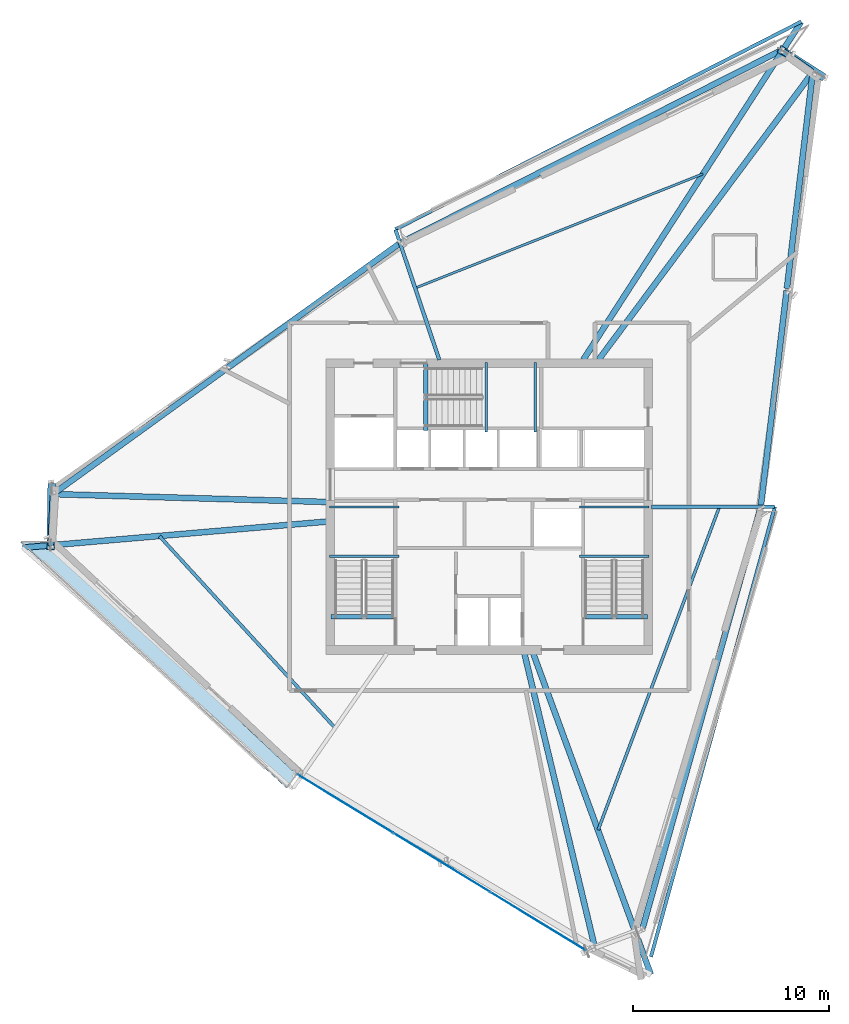
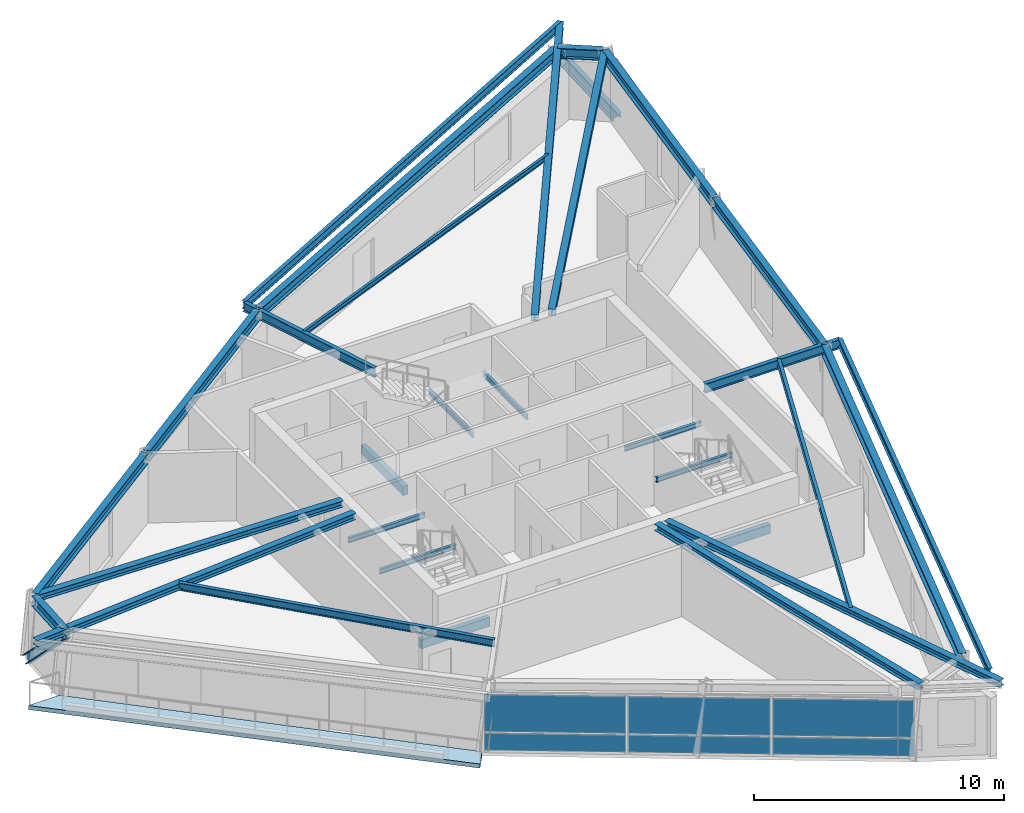
# One storey, part 5 of 14: 30 beams, 6 plates, 2 members, 1 slab, 1 element without a shape of its own.
"""IFC4 building model written with IfcOpenShell, lengths in metres."""

from ifc_helpers import new_model, si_unit, direction, frame, origin, origin_2d, place, context, subcontext, project, spatial, polyline, rectangle, i_section, outline, extrude, source, transform, mapped, material, layer, layer_set, material_profile, profile_set, type_object, element, aggregate, save


model = new_model("IFC4")

# Units and contexts
model_context = context("Model", 3, precision=1e-05, world=origin(), true_north=direction((0.0, 1.0)))
body_context = subcontext(model_context, "Body", "Model", "MODEL_VIEW")
ifc_project = project(units=[si_unit("LENGTHUNIT", "METRE"), si_unit("AREAUNIT", "SQUARE_METRE"), si_unit("VOLUMEUNIT", "CUBIC_METRE"), si_unit("PLANEANGLEUNIT", "RADIAN"), si_unit("MASSUNIT", "GRAM", prefix="KILO")], contexts=[model_context])

# Site, building, storey
site_placement = place(None, origin())
site = spatial("IfcSite", under=ifc_project, at=site_placement, CompositionType="ELEMENT")
building_placement = place(site_placement, origin())
building = spatial("IfcBuilding", under=site, at=building_placement, Name="Olszyna Solenne Hotel", CompositionType="ELEMENT")
storey_placement = place(building_placement, frame((0.0, 0.0, 256.10009765625)))
storey = spatial("IfcBuildingStorey", under=building, at=storey_placement, Name="L68", CompositionType="ELEMENT", Elevation=256.10009765625)

# Beams
ifc_material_1 = material(Name="Steel S355J2", Category="steel")
ifc_material_profile_1 = material_profile(ifc_material_1, i_section(OverallWidth=0.300048828125, OverallDepth=0.5, WebThickness=0.014404296875, FlangeThickness=0.028076171875, at=origin_2d()), Name="HEB 500", Category="load-bearing")
ifc_profile_set_1 = profile_set([ifc_material_profile_1], Name="Steel S355J2")
beam_type_1 = type_object("IfcBeamType", Name="BM-S3", PredefinedType="BEAM", material=ifc_profile_set_1)
shared_shape_1 = source(origin(), body_context, "Body", "SweptSolid", [
    extrude(i_section(OverallWidth=0.300048828125, OverallDepth=0.5, WebThickness=0.014404296875, FlangeThickness=0.028076171875, at=origin_2d()), origin(), (0.0, 0.0, 1.0), 1.832275390625),
])
beam_1_placement = place(storey_placement, frame((54.489501953125, 48.8408203125, 3.1298828125), z_axis=(-0.819694864813, 0.572800426501, 0.0), x_axis=(-0.572800426501, -0.819694864813, 0.0)))
element("IfcBeam", 1, at=beam_1_placement, inside=storey, type_object=beam_type_1, Name="Perimeter spandrel beam BM-S3 B-L68-1998", PredefinedType="BEAM", context=body_context, shape_type="MappedRepresentation", body=[
    mapped(shared_shape_1, transform((0.0, 0.0, 0.0), x_axis=(1.0, 0.0, 0.0), y_axis=(0.0, 1.0, 0.0), z_axis=(0.0, 0.0, 1.0), scale=1.0)),
])
shared_shape_2 = source(origin(), body_context, "Body", "SweptSolid", [
    extrude(i_section(OverallWidth=0.300048828125, OverallDepth=0.5, WebThickness=0.014404296875, FlangeThickness=0.028076171875, at=origin_2d()), origin(), (0.0, 0.0, 1.0), 21.74658203125),
])
beam_2_placement = place(storey_placement, frame((52.884765625, 49.897705078125, 3.1298828125), z_axis=(-0.892345159425, -0.451353648984, 0.0), x_axis=(0.451353648984, -0.892345159425, 0.0)))
element("IfcBeam", 2, at=beam_2_placement, inside=storey, type_object=beam_type_1, Name="Perimeter spandrel beam BM-S3 B-L68-1999", PredefinedType="BEAM", context=body_context, shape_type="MappedRepresentation", body=[
    mapped(shared_shape_2, transform((0.0, 0.0, 0.0), x_axis=(1.0, 0.0, 0.0), y_axis=(0.0, 1.0, 0.0), z_axis=(0.0, 0.0, 1.0), scale=1.0)),
])
shared_shape_3 = source(origin(), body_context, "Body", "SweptSolid", [
    extrude(i_section(OverallWidth=0.300048828125, OverallDepth=0.5, WebThickness=0.014404296875, FlangeThickness=0.028076171875, at=origin_2d()), origin(), (0.0, 0.0, 1.0), 10.813232421875),
])
for number, where, z_axis, x_axis, name in (
    (3, (33.377197265625, 40.02001953125, 3.1298828125), (-0.810283720346, -0.586037791053, 0.0), (0.586037791053, -0.810283720346, 0.0), "Perimeter spandrel beam BM-S3 B-L68-2000"),
    (4, (24.518310546875, 33.61279296875, 3.1298828125), (-0.810291474371, -0.58602706982, 0.0), (0.58602706982, -0.810291474371, 0.0), "Perimeter spandrel beam BM-S3 B-L68-2001"),
):
    element("IfcBeam", number, at=place(storey_placement, frame(where, z_axis=z_axis, x_axis=x_axis)), inside=storey, type_object=beam_type_1, Name=name, PredefinedType="BEAM", context=body_context, shape_type="MappedRepresentation", body=[
        mapped(shared_shape_3, transform((0.0, 0.0, 0.0), x_axis=(1.0, 0.0, 0.0), y_axis=(0.0, 1.0, 0.0), z_axis=(0.0, 0.0, 1.0), scale=1.0)),
    ])
shared_shape_4 = source(origin(), body_context, "Body", "SweptSolid", [
    extrude(i_section(OverallWidth=0.300048828125, OverallDepth=0.5, WebThickness=0.014404296875, FlangeThickness=0.028076171875, at=origin_2d()), origin(), (0.0, 0.0, 1.0), 2.585693359375),
])
beam_3_placement = place(storey_placement, frame((15.705078125, 27.1806640625, 3.1298828125), z_axis=(-0.043621607937, -0.999048124627, 0.0), x_axis=(0.999048124627, -0.043621607937, 0.0)))
element("IfcBeam", 5, at=beam_3_placement, inside=storey, type_object=beam_type_1, Name="Perimeter spandrel beam BM-S3 B-L68-2002", PredefinedType="BEAM", context=body_context, shape_type="MappedRepresentation", body=[
    mapped(shared_shape_4, transform((0.0, 0.0, 0.0), x_axis=(1.0, 0.0, 0.0), y_axis=(0.0, 1.0, 0.0), z_axis=(0.0, 0.0, 1.0), scale=1.0)),
])
shared_shape_5 = source(origin(), body_context, "Body", "SweptSolid", [
    extrude(i_section(OverallWidth=0.300048828125, OverallDepth=0.5, WebThickness=0.014404296875, FlangeThickness=0.028076171875, at=origin_2d()), origin(), (0.0, 0.0, 1.0), 22.270263671875),
])
beam_4_placement = place(storey_placement, frame((45.843994140625, 5.074462890625, 3.1298828125), z_axis=(0.270052789292, 0.962845517721, 0.0), x_axis=(-0.962845517721, 0.270052789292, 0.0)))
element("IfcBeam", 6, at=beam_4_placement, inside=storey, type_object=beam_type_1, Name="Perimeter spandrel beam BM-S3 B-L68-2007", PredefinedType="BEAM", context=body_context, shape_type="MappedRepresentation", body=[
    mapped(shared_shape_5, transform((0.0, 0.0, 0.0), x_axis=(1.0, 0.0, 0.0), y_axis=(0.0, 1.0, 0.0), z_axis=(0.0, 0.0, 1.0), scale=1.0)),
])
shared_shape_6 = source(origin(), body_context, "Body", "SweptSolid", [
    extrude(i_section(OverallWidth=0.300048828125, OverallDepth=0.5, WebThickness=0.014404296875, FlangeThickness=0.028076171875, at=origin_2d()), origin(), (0.0, 0.0, 1.0), 11.074951171875),
])
for number, where, z_axis, x_axis, name in (
    (7, (51.881591796875, 26.634765625, 3.1298828125), (0.118994838553, 0.992894872782, 0.0), (-0.992894872782, 0.118994838553, 0.0), "Perimeter spandrel beam BM-S3 B-L68-2008"),
    (8, (53.213623046875, 37.75048828125, 3.1298828125), (0.118994838553, 0.992894872782, 0.0), (-0.992894872782, 0.118994838553, 0.0), "Perimeter spandrel beam BM-S3 B-L68-2009"),
):
    element("IfcBeam", number, at=place(storey_placement, frame(where, z_axis=z_axis, x_axis=x_axis)), inside=storey, type_object=beam_type_1, Name=name, PredefinedType="BEAM", context=body_context, shape_type="MappedRepresentation", body=[
        mapped(shared_shape_6, transform((0.0, 0.0, 0.0), x_axis=(1.0, 0.0, 0.0), y_axis=(0.0, 1.0, 0.0), z_axis=(0.0, 0.0, 1.0), scale=1.0)),
    ])
ifc_material_profile_2 = material_profile(ifc_material_1, i_section(OverallWidth=0.300048828125, OverallDepth=0.31005859375, WebThickness=0.009033203125, FlangeThickness=0.015380859375, at=origin_2d()), Name="HEA 320", Category="load-bearing")
ifc_profile_set_2 = profile_set([ifc_material_profile_2], Name="Steel S355J2")
beam_type_2 = type_object("IfcBeamType", Name="BM-G3", PredefinedType="BEAM", material=ifc_profile_set_2)
shared_shape_7 = source(origin(), body_context, "Body", "SweptSolid", [
    extrude(i_section(OverallWidth=0.300048828125, OverallDepth=0.31005859375, WebThickness=0.009033203125, FlangeThickness=0.015380859375, at=origin_2d()), origin(), (0.0, 0.0, 1.0), 18.2646484375),
])
beam_5_placement = place(storey_placement, frame((54.502685546875, 48.75830078125, 3.224853515625), z_axis=(-0.597310418352, -0.802010139666, 0.0), x_axis=(0.802010139666, -0.597310418352, 0.0)))
element("IfcBeam", 9, at=beam_5_placement, inside=storey, type_object=beam_type_2, Name="Radial floor girder BM-G3 B-L68-2010", PredefinedType="BEAM", context=body_context, shape_type="MappedRepresentation", body=[
    mapped(shared_shape_7, transform((0.0, 0.0, 0.0), x_axis=(1.0, 0.0, 0.0), y_axis=(0.0, 1.0, 0.0), z_axis=(0.0, 0.0, 1.0), scale=1.0)),
])
shared_shape_8 = source(origin(), body_context, "Body", "SweptSolid", [
    extrude(i_section(OverallWidth=0.300048828125, OverallDepth=0.31005859375, WebThickness=0.009033203125, FlangeThickness=0.015380859375, at=origin_2d()), origin(), (0.0, 0.0, 1.0), 20.54296875),
])
beam_6_placement = place(storey_placement, frame((53.94091796875, 51.372802734375, 3.224853515625), z_axis=(-0.541918146434, -0.840431271768, 0.0), x_axis=(0.840431271768, -0.541918146434, 0.0)))
element("IfcBeam", 10, at=beam_6_placement, inside=storey, type_object=beam_type_2, Name="Radial floor girder BM-G3 B-L68-2011", PredefinedType="BEAM", context=body_context, shape_type="MappedRepresentation", body=[
    mapped(shared_shape_8, transform((0.0, 0.0, 0.0), x_axis=(1.0, 0.0, 0.0), y_axis=(0.0, 1.0, 0.0), z_axis=(0.0, 0.0, 1.0), scale=1.0)),
])
ifc_material_profile_3 = material_profile(ifc_material_1, i_section(OverallWidth=0.18994140625, OverallDepth=0.449951171875, WebThickness=0.009521484375, FlangeThickness=0.0146484375, at=origin_2d()), Name="IPE 450", Category="load-bearing")
ifc_profile_set_3 = profile_set([ifc_material_profile_3], Name="Steel S355J2")
beam_type_3 = type_object("IfcBeamType", Name="BM-F4", PredefinedType="BEAM", material=ifc_profile_set_3)
shared_shape_9 = source(origin(), body_context, "Body", "SweptSolid", [
    extrude(i_section(OverallWidth=0.18994140625, OverallDepth=0.449951171875, WebThickness=0.009521484375, FlangeThickness=0.0146484375, at=origin_2d()), origin(), (0.0, 0.0, 1.0), 7.013427734375),
])
beam_7_placement = place(storey_placement, frame((33.213134765625, 40.75, 3.15478515625), z_axis=(0.318868693934, -0.947798900627, 0.0), x_axis=(0.947798900627, 0.318868693934, 0.0)))
element("IfcBeam", 11, at=beam_7_placement, inside=storey, type_object=beam_type_3, Name="Radial floor girder BM-F4 B-L68-2012", PredefinedType="BEAM", context=body_context, shape_type="MappedRepresentation", body=[
    mapped(shared_shape_9, transform((0.0, 0.0, 0.0), x_axis=(1.0, 0.0, 0.0), y_axis=(0.0, 1.0, 0.0), z_axis=(0.0, 0.0, 1.0), scale=1.0)),
])
shared_shape_10 = source(origin(), body_context, "Body", "SweptSolid", [
    extrude(i_section(OverallWidth=0.300048828125, OverallDepth=0.31005859375, WebThickness=0.009033203125, FlangeThickness=0.015380859375, at=origin_2d()), origin(), (0.0, 0.0, 1.0), 13.938232421875),
])
beam_8_placement = place(storey_placement, frame((15.767578125, 27.239013671875, 3.224853515625), z_axis=(0.999586811858, -0.028743791653, 0.0), x_axis=(0.028743791653, 0.999586811858, 0.0)))
element("IfcBeam", 12, at=beam_8_placement, inside=storey, type_object=beam_type_2, Name="Radial floor girder BM-G3 B-L68-2013", PredefinedType="BEAM", context=body_context, shape_type="MappedRepresentation", body=[
    mapped(shared_shape_10, transform((0.0, 0.0, 0.0), x_axis=(1.0, 0.0, 0.0), y_axis=(0.0, 1.0, 0.0), z_axis=(0.0, 0.0, 1.0), scale=1.0)),
])
shared_shape_11 = source(origin(), body_context, "Body", "SweptSolid", [
    extrude(i_section(OverallWidth=0.300048828125, OverallDepth=0.31005859375, WebThickness=0.009033203125, FlangeThickness=0.015380859375, at=origin_2d()), origin(), (0.0, 0.0, 1.0), 15.5986328125),
])
beam_9_placement = place(storey_placement, frame((14.158203125, 24.501953125, 3.224853515625), z_axis=(0.996335186929, 0.085534760699, 0.0), x_axis=(-0.085534760699, 0.996335186929, 0.0)))
element("IfcBeam", 13, at=beam_9_placement, inside=storey, type_object=beam_type_2, Name="Radial floor girder BM-G3 B-L68-2014", PredefinedType="BEAM", context=body_context, shape_type="MappedRepresentation", body=[
    mapped(shared_shape_11, transform((0.0, 0.0, 0.0), x_axis=(1.0, 0.0, 0.0), y_axis=(0.0, 1.0, 0.0), z_axis=(0.0, 0.0, 1.0), scale=1.0)),
])
shared_shape_12 = source(origin(), body_context, "Body", "SweptSolid", [
    extrude(i_section(OverallWidth=0.300048828125, OverallDepth=0.31005859375, WebThickness=0.009033203125, FlangeThickness=0.015380859375, at=origin_2d()), origin(), (0.0, 0.0, 1.0), 15.389892578125),
])
beam_10_placement = place(storey_placement, frame((43.3837890625, 4.13232421875, 3.224853515625), z_axis=(-0.233020745557, 0.972471764187, 0.0), x_axis=(-0.972471764187, -0.233020745557, 0.0)))
element("IfcBeam", 14, at=beam_10_placement, inside=storey, type_object=beam_type_2, Name="Radial floor girder BM-G3 B-L68-2016", PredefinedType="BEAM", context=body_context, shape_type="MappedRepresentation", body=[
    mapped(shared_shape_12, transform((0.0, 0.0, 0.0), x_axis=(1.0, 0.0, 0.0), y_axis=(0.0, 1.0, 0.0), z_axis=(0.0, 0.0, 1.0), scale=1.0)),
])
shared_shape_13 = source(origin(), body_context, "Body", "SweptSolid", [
    extrude(i_section(OverallWidth=0.300048828125, OverallDepth=0.31005859375, WebThickness=0.009033203125, FlangeThickness=0.015380859375, at=origin_2d()), origin(), (0.0, 0.0, 1.0), 17.478759765625),
])
beam_11_placement = place(storey_placement, frame((46.26318359375, 2.686279296875, 3.224853515625), z_axis=(-0.344056820219, 0.938948829522, 0.0), x_axis=(-0.938948829522, -0.344056820219, 0.0)))
element("IfcBeam", 15, at=beam_11_placement, inside=storey, type_object=beam_type_2, Name="Radial floor girder BM-G3 B-L68-2017", PredefinedType="BEAM", context=body_context, shape_type="MappedRepresentation", body=[
    mapped(shared_shape_13, transform((0.0, 0.0, 0.0), x_axis=(1.0, 0.0, 0.0), y_axis=(0.0, 1.0, 0.0), z_axis=(0.0, 0.0, 1.0), scale=1.0)),
])
shared_shape_14 = source(origin(), body_context, "Body", "SweptSolid", [
    extrude(i_section(OverallWidth=0.18994140625, OverallDepth=0.449951171875, WebThickness=0.009521484375, FlangeThickness=0.0146484375, at=origin_2d()), origin(), (0.0, 0.0, 1.0), 6.280029296875),
])
beam_12_placement = place(storey_placement, frame((52.580078125, 26.59375, 3.15478515625), z_axis=(-0.999999074317, -0.001360648742, 0.0), x_axis=(0.001360648742, -0.999999074317, 0.0)))
element("IfcBeam", 16, at=beam_12_placement, inside=storey, type_object=beam_type_3, Name="Radial floor girder BM-F4 B-L68-2018", PredefinedType="BEAM", context=body_context, shape_type="MappedRepresentation", body=[
    mapped(shared_shape_14, transform((0.0, 0.0, 0.0), x_axis=(1.0, 0.0, 0.0), y_axis=(0.0, 1.0, 0.0), z_axis=(0.0, 0.0, 1.0), scale=1.0)),
])
ifc_material_profile_4 = material_profile(ifc_material_1, i_section(OverallWidth=0.1201171875, OverallDepth=0.239990234375, WebThickness=0.006103515625, FlangeThickness=0.009765625, at=origin_2d()), Name="IPE 240", Category="load-bearing")
ifc_profile_set_4 = profile_set([ifc_material_profile_4], Name="Steel S355J2")
beam_type_4 = type_object("IfcBeamType", Name="JS-03", PredefinedType="JOIST", material=ifc_profile_set_4)
shared_shape_15 = source(origin(), body_context, "Body", "SweptSolid", [
    extrude(i_section(OverallWidth=0.1201171875, OverallDepth=0.239990234375, WebThickness=0.006103515625, FlangeThickness=0.009765625, at=origin_2d()), origin(), (0.0, 0.0, 1.0), 15.798583984375),
])
beam_13_placement = place(storey_placement, frame((48.918701171875, 43.60546875, 3.260009765625), z_axis=(-0.929450760734, -0.368946179505, 0.0), x_axis=(0.368946179505, -0.929450760734, 0.0)))
element("IfcBeam", 17, at=beam_13_placement, inside=storey, type_object=beam_type_4, Name="Secondary composite floor joist JS-03 B-L68-2020", PredefinedType="JOIST", context=body_context, shape_type="MappedRepresentation", body=[
    mapped(shared_shape_15, transform((0.0, 0.0, 0.0), x_axis=(1.0, 0.0, 0.0), y_axis=(0.0, 1.0, 0.0), z_axis=(0.0, 0.0, 1.0), scale=1.0)),
])
ifc_material_profile_5 = material_profile(ifc_material_1, i_section(OverallWidth=0.169921875, OverallDepth=0.360107421875, WebThickness=0.008056640625, FlangeThickness=0.0126953125, at=origin_2d()), Name="IPE 360", Category="load-bearing")
ifc_profile_set_5 = profile_set([ifc_material_profile_5], Name="Steel S355J2")
beam_type_5 = type_object("IfcBeamType", Name="JS-01", PredefinedType="JOIST", material=ifc_profile_set_5)
shared_shape_16 = source(origin(), body_context, "Body", "SweptSolid", [
    extrude(i_section(OverallWidth=0.169921875, OverallDepth=0.360107421875, WebThickness=0.008056640625, FlangeThickness=0.0126953125, at=origin_2d()), origin(), (0.0, 0.0, 1.0), 13.263427734375),
])
beam_14_placement = place(storey_placement, frame((21.154541015625, 25.086669921875, 3.199951171875), z_axis=(0.675535396611, -0.737327558094, 0.0), x_axis=(0.737327558094, 0.675535396611, 0.0)))
element("IfcBeam", 18, at=beam_14_placement, inside=storey, type_object=beam_type_5, Name="Secondary composite floor joist JS-01 B-L68-2021", PredefinedType="JOIST", context=body_context, shape_type="MappedRepresentation", body=[
    mapped(shared_shape_16, transform((0.0, 0.0, 0.0), x_axis=(1.0, 0.0, 0.0), y_axis=(0.0, 1.0, 0.0), z_axis=(0.0, 0.0, 1.0), scale=1.0)),
])
ifc_material_profile_6 = material_profile(ifc_material_1, i_section(OverallWidth=0.14990234375, OverallDepth=0.300048828125, WebThickness=0.007080078125, FlangeThickness=0.0107421875, at=origin_2d()), Name="IPE 300", Category="load-bearing")
ifc_profile_set_6 = profile_set([ifc_material_profile_6], Name="Steel S355J2")
beam_type_6 = type_object("IfcBeamType", Name="JS-02", PredefinedType="JOIST", material=ifc_profile_set_6)
shared_shape_17 = source(origin(), body_context, "Body", "SweptSolid", [
    extrude(i_section(OverallWidth=0.14990234375, OverallDepth=0.300048828125, WebThickness=0.007080078125, FlangeThickness=0.0107421875, at=origin_2d()), origin(), (0.0, 0.0, 1.0), 17.61474609375),
])
beam_15_placement = place(storey_placement, frame((43.56787109375, 10.079833984375, 3.22998046875), z_axis=(0.351421129749, 0.936217490526, 0.0), x_axis=(-0.936217490526, 0.351421129749, 0.0)))
element("IfcBeam", 19, at=beam_15_placement, inside=storey, type_object=beam_type_6, Name="Secondary composite floor joist JS-02 B-L68-2022", PredefinedType="JOIST", context=body_context, shape_type="MappedRepresentation", body=[
    mapped(shared_shape_17, transform((0.0, 0.0, 0.0), x_axis=(1.0, 0.0, 0.0), y_axis=(0.0, 1.0, 0.0), z_axis=(0.0, 0.0, 1.0), scale=1.0)),
])
ifc_material_profile_7 = material_profile(ifc_material_1, i_section(OverallWidth=0.179931640625, OverallDepth=0.39990234375, WebThickness=0.008544921875, FlangeThickness=0.013427734375, at=origin_2d()), Name="IPE 400", Category="load-bearing")
ifc_profile_set_7 = profile_set([ifc_material_profile_7], Name="Steel S355J2")
beam_type_7 = type_object("IfcBeamType", Name="BM-F5", PredefinedType="BEAM", material=ifc_profile_set_7)
shared_shape_18 = source(origin(), body_context, "Body", "SweptSolid", [
    extrude(i_section(OverallWidth=0.179931640625, OverallDepth=0.39990234375, WebThickness=0.008544921875, FlangeThickness=0.013427734375, at=origin_2d()), origin(), (0.0, 0.0, 1.0), 23.305419921875),
])
beam_16_placement = place(storey_placement, frame((53.95166015625, 51.389404296875, 3.179931640625), z_axis=(-0.890131468591, -0.455703816775, 0.0), x_axis=(0.455703816775, -0.890131468591, 0.0)))
element("IfcBeam", 20, at=beam_16_placement, inside=storey, type_object=beam_type_7, Name="Loggia outer edge beam BM-F5 B-L68-2023", PredefinedType="BEAM", context=body_context, shape_type="MappedRepresentation", body=[
    mapped(shared_shape_18, transform((0.0, 0.0, 0.0), x_axis=(1.0, 0.0, 0.0), y_axis=(0.0, 1.0, 0.0), z_axis=(0.0, 0.0, 1.0), scale=1.0)),
])
shared_shape_19 = source(origin(), body_context, "Body", "SweptSolid", [
    extrude(i_section(OverallWidth=0.179931640625, OverallDepth=0.39990234375, WebThickness=0.008544921875, FlangeThickness=0.013427734375, at=origin_2d()), origin(), (0.0, 0.0, 1.0), 23.86083984375),
])
beam_17_placement = place(storey_placement, frame((46.265869140625, 3.589111328125, 3.179931640625), z_axis=(0.265466339179, 0.964120128803, 0.0), x_axis=(-0.964120128803, 0.265466339179, 0.0)))
element("IfcBeam", 21, at=beam_17_placement, inside=storey, type_object=beam_type_7, Name="Loggia outer edge beam BM-F5 B-L68-2025", PredefinedType="BEAM", context=body_context, shape_type="MappedRepresentation", body=[
    mapped(shared_shape_19, transform((0.0, 0.0, 0.0), x_axis=(1.0, 0.0, 0.0), y_axis=(0.0, 1.0, 0.0), z_axis=(0.0, 0.0, 1.0), scale=1.0)),
])

# Members
ifc_material_2 = material(Name="Steel S460M", Category="steel")
ifc_material_profile_8 = material_profile(ifc_material_2, i_section(OverallWidth=0.40087890625, OverallDepth=0.39892578125, WebThickness=0.02197265625, FlangeThickness=0.034423828125, at=origin_2d()), Name="HD 400x314", Category="load-bearing")
ifc_profile_set_8 = profile_set([ifc_material_profile_8], Name="Steel S460M")
member_type = type_object("IfcMemberType", Name="BR-T3", PredefinedType="BRACE", material=ifc_profile_set_8)
shared_shape_20 = source(origin(), body_context, "Body", "SweptSolid", [
    extrude(i_section(OverallWidth=0.40087890625, OverallDepth=0.39892578125, WebThickness=0.02197265625, FlangeThickness=0.034423828125, at=origin_2d()), origin(), (0.0, 0.0, 1.0), 3.940185546875),
])
member_1_placement = place(storey_placement, frame((54.99072265625, 48.60791015625, 0.010009765625), z_axis=(-0.520900184259, 0.334213821089, 0.785470635881), x_axis=(-0.540013574493, -0.841656307149, 0.0)))
element("IfcMember", 22, at=member_1_placement, inside=storey, type_object=member_type, Name="Perimeter braced-tube diagonal BR-T3 BR-L68-1", PredefinedType="BRACE", context=body_context, shape_type="MappedRepresentation", body=[
    mapped(shared_shape_20, transform((0.0, 0.0, 0.0), x_axis=(1.0, 0.0, 0.0), y_axis=(0.0, 1.0, 0.0), z_axis=(0.0, 0.0, 1.0), scale=1.0)),
])
shared_shape_21 = source(origin(), body_context, "Body", "SweptSolid", [
    extrude(i_section(OverallWidth=0.40087890625, OverallDepth=0.39892578125, WebThickness=0.02197265625, FlangeThickness=0.034423828125, at=origin_2d()), origin(), (0.0, 0.0, 1.0), 4.390380859375),
])
member_2_placement = place(storey_placement, frame((15.64208984375, 27.65087890625, 0.010009765625), z_axis=(-0.011900075553, -0.70916665202, 0.704940456964), x_axis=(0.999859239394, -0.01677800339, 0.0)))
element("IfcMember", 23, at=member_2_placement, inside=storey, type_object=member_type, Name="Perimeter braced-tube diagonal BR-T3 BR-L68-2", PredefinedType="BRACE", context=body_context, shape_type="MappedRepresentation", body=[
    mapped(shared_shape_21, transform((0.0, 0.0, 0.0), x_axis=(1.0, 0.0, 0.0), y_axis=(0.0, 1.0, 0.0), z_axis=(0.0, 0.0, 1.0), scale=1.0)),
])

# Beams
shared_shape_22 = source(origin(), body_context, "Body", "SweptSolid", [
    extrude(i_section(OverallWidth=0.1201171875, OverallDepth=0.239990234375, WebThickness=0.006103515625, FlangeThickness=0.009765625, at=origin_2d()), origin(), (0.0, 0.0, 1.0), 3.539794921875),
])
for number, where, z_axis, x_axis, name in (
    (24, (33.3798828125, 24.070068359375, 1.474853515625), (-1.0, 0.0, 0.0), (0.0, -1.0, 0.0), "Stair landing support beam JS-03 SLB-ST1-0141"),
    (25, (33.3798828125, 26.580078125, 1.474853515625), (-1.0, 0.0, 0.0), (0.0, -1.0, 0.0), "Stair landing support beam JS-03 SLB-ST1-0142"),
    (26, (46.159912109375, 24.070068359375, 1.474853515625), (-1.0, 0.0, 0.0), (0.0, -1.0, 0.0), "Stair landing support beam JS-03 SLB-ST2-0381"),
    (27, (46.159912109375, 26.580078125, 1.474853515625), (-1.0, 0.0, 0.0), (0.0, -1.0, 0.0), "Stair landing support beam JS-03 SLB-ST2-0382"),
):
    element("IfcBeam", number, at=place(storey_placement, frame(where, z_axis=z_axis, x_axis=x_axis)), inside=storey, type_object=beam_type_4, Name=name, PredefinedType="JOIST", context=body_context, shape_type="MappedRepresentation", body=[
        mapped(shared_shape_22, transform((0.0, 0.0, 0.0), x_axis=(1.0, 0.0, 0.0), y_axis=(0.0, 1.0, 0.0), z_axis=(0.0, 0.0, 1.0), scale=1.0)),
    ])
ifc_material_3 = material(Name="Concrete C50/60", Category="concrete")
ifc_material_profile_9 = material_profile(ifc_material_3, rectangle(XDim=0.219970703125, YDim=0.43994140625, at=origin_2d()), Name="RC 220x440", Category="load-bearing")
ifc_profile_set_9 = profile_set([ifc_material_profile_9], Name="Concrete C50/60")
beam_type_8 = type_object("IfcBeamType", Name="BM-ST1", PredefinedType="BEAM", material=ifc_profile_set_9)
shared_shape_23 = source(origin(), body_context, "Body", "SweptSolid", [
    extrude(rectangle(XDim=0.219970703125, YDim=0.43994140625, at=origin_2d()), origin(), (0.0, 0.0, 1.0), 3.18017578125),
])
for number, where, z_axis, x_axis, name in (
    (28, (33.10009765625, 20.97998046875, -0.205078125), (-1.0, 0.0, 0.0), (0.0, -1.0, 0.0), "Concrete stair trimmer beam BM-ST1 SHB-ST1-0230"),
    (29, (46.080078125, 20.97998046875, -0.205078125), (-1.0, 0.0, 0.0), (0.0, -1.0, 0.0), "Concrete stair trimmer beam BM-ST1 SHB-ST2-0470"),
):
    element("IfcBeam", number, at=place(storey_placement, frame(where, z_axis=z_axis, x_axis=x_axis)), inside=storey, type_object=beam_type_8, Name=name, PredefinedType="BEAM", context=body_context, shape_type="MappedRepresentation", body=[
        mapped(shared_shape_23, transform((0.0, 0.0, 0.0), x_axis=(1.0, 0.0, 0.0), y_axis=(0.0, 1.0, 0.0), z_axis=(0.0, 0.0, 1.0), scale=1.0)),
    ])
shared_shape_24 = source(origin(), body_context, "Body", "SweptSolid", [
    extrude(i_section(OverallWidth=0.1201171875, OverallDepth=0.239990234375, WebThickness=0.006103515625, FlangeThickness=0.009765625, at=origin_2d()), origin(), (0.0, 0.0, 1.0), 3.5400390625),
])
for number, where, z_axis, x_axis, name in (
    (30, (37.85009765625, 30.419921875, 1.474853515625), (0.0, 1.0, 0.0), (-1.0, 0.0, 0.0), "Stair landing support beam JS-03 SLB-ST3-0621"),
    (31, (40.360107421875, 30.419921875, 1.474853515625), (0.0, 1.0, 0.0), (-1.0, 0.0, 0.0), "Stair landing support beam JS-03 SLB-ST3-0622"),
):
    element("IfcBeam", number, at=place(storey_placement, frame(where, z_axis=z_axis, x_axis=x_axis)), inside=storey, type_object=beam_type_4, Name=name, PredefinedType="JOIST", context=body_context, shape_type="MappedRepresentation", body=[
        mapped(shared_shape_24, transform((0.0, 0.0, 0.0), x_axis=(1.0, 0.0, 0.0), y_axis=(0.0, 1.0, 0.0), z_axis=(0.0, 0.0, 1.0), scale=1.0)),
    ])
shared_shape_25 = source(origin(), body_context, "Body", "SweptSolid", [
    extrude(rectangle(XDim=0.219970703125, YDim=0.43994140625, at=origin_2d()), origin(), (0.0, 0.0, 1.0), 3.3798828125),
])
beam_18_placement = place(storey_placement, frame((34.760009765625, 30.5, -0.205078125), z_axis=(0.0, 1.0, 0.0), x_axis=(-1.0, 0.0, 0.0)))
element("IfcBeam", 32, at=beam_18_placement, inside=storey, type_object=beam_type_8, Name="Concrete stair trimmer beam BM-ST1 SHB-ST3-0708", PredefinedType="BEAM", context=body_context, shape_type="MappedRepresentation", body=[
    mapped(shared_shape_25, transform((0.0, 0.0, 0.0), x_axis=(1.0, 0.0, 0.0), y_axis=(0.0, 1.0, 0.0), z_axis=(0.0, 0.0, 1.0), scale=1.0)),
])

# Slab
ifc_material_4 = material(Name="Precast concrete C45/55", Category="concrete")
ifc_layer = layer(ifc_material_4, 0.199951171875, Name="Precast concrete C45/55")
ifc_layer_set = layer_set([ifc_layer], Name="Precast concrete C45/55")
slab_type = type_object("IfcSlabType", Name="SL-LOG200", PredefinedType="FLOOR", material=ifc_layer_set)
slab_placement = place(storey_placement, frame((0.0, 0.0, -0.2001953125)))
element("IfcSlab", 33, at=slab_placement, inside=storey, type_object=slab_type, Name="Exterior loggia balcony slab SL-L68-LG2", PredefinedType="FLOOR", context=body_context, shape_type="SweptSolid", body=[
    extrude(outline(polyline([(28.1533203125, 12.92431640625), (28.15283203125, 12.924560546875), (28.151611328125, 12.925537109375), (15.46337890625, 24.802734375), (15.46240234375, 24.803955078125), (15.461669921875, 24.804931640625), (15.460693359375, 24.806396484375), (15.460205078125, 24.8076171875), (15.459716796875, 24.808837890625), (15.459228515625, 24.810302734375), (15.458984375, 24.811767578125), (15.458740234375, 24.813232421875), (15.458740234375, 24.813720703125), (14.02197265625, 24.799560546875), (27.643798828125, 12.212158203125), (28.1533203125, 12.92431640625)])), origin(), (0.0, 0.0, 1.0), 0.2001953125),
])

# Curtain wall, plates
ifc_material_5 = material(Name="Anodised bronze aluminium", Category="aluminium")
curtain_wall_type = type_object("IfcCurtainWallType", Name="CW-SYS-4", PredefinedType="NOTDEFINED", material=ifc_material_5)
curtain_wall_placement = place(storey_placement, origin())
curtain_wall = element("IfcCurtainWall", 34, at=curtain_wall_placement, inside=storey, type_object=curtain_wall_type, Name="Unitised curtain wall CW-SYS-4 CW-L68-01", PredefinedType="NOTDEFINED")
ifc_material_6 = material(Name="Terracotta cladding", Category="masonry")
plate_type_1 = type_object("IfcPlateType", Name="PN-SP1", PredefinedType="CURTAIN_PANEL", material=ifc_material_6)
shared_shape_26 = source(origin(), body_context, "Body", "SweptSolid", [
    extrude(rectangle(XDim=5.69580078125, YDim=0.035888671875, at=origin_2d()), origin(), (0.0, 0.0, 1.0), 0.8525390625),
])
plate_1_placement = place(storey_placement, frame((30.648681640625, 11.41943359375, 0.06494140625), z_axis=(0.0, 0.0, 1.0), x_axis=(0.853660786614, -0.520829397593, 0.0)))
plate_1 = element("IfcPlate", 35, at=plate_1_placement, type_object=plate_type_1, Name="Curtain-wall panel PN-SP1 CP-L68-01-01", PredefinedType="CURTAIN_PANEL", context=body_context, shape_type="MappedRepresentation", body=[
    mapped(shared_shape_26, transform((0.0, 0.0, 0.0), x_axis=(1.0, 0.0, 0.0), y_axis=(0.0, 1.0, 0.0), z_axis=(0.0, 0.0, 1.0), scale=1.0)),
])
plate_2_placement = place(storey_placement, frame((40.511962890625, 5.401611328125, 0.06494140625), z_axis=(0.0, 0.0, 1.0), x_axis=(0.853660786614, -0.520829397593, 0.0)))
plate_2 = element("IfcPlate", 36, at=plate_2_placement, type_object=plate_type_1, Name="Curtain-wall panel PN-SP1 CP-L68-01-05", PredefinedType="CURTAIN_PANEL", context=body_context, shape_type="MappedRepresentation", body=[
    mapped(shared_shape_26, transform((0.0, 0.0, 0.0), x_axis=(1.0, 0.0, 0.0), y_axis=(0.0, 1.0, 0.0), z_axis=(0.0, 0.0, 1.0), scale=1.0)),
])
ifc_material_7 = material(Name="Low-E triple glazing", Category="glass")
plate_type_2 = type_object("IfcPlateType", Name="PN-GL1", PredefinedType="CURTAIN_PANEL", material=ifc_material_7)
shared_shape_27 = source(origin(), body_context, "Body", "SweptSolid", [
    extrude(rectangle(XDim=5.69580078125, YDim=0.035888671875, at=origin_2d()), origin(), (0.0, 0.0, 1.0), 1.824462890625),
])
plate_3_placement = place(storey_placement, frame((30.648681640625, 11.41943359375, 0.982421875), z_axis=(0.0, 0.0, 1.0), x_axis=(0.853660786614, -0.520829397593, 0.0)))
plate_3 = element("IfcPlate", 37, at=plate_3_placement, type_object=plate_type_2, Name="Curtain-wall panel PN-GL1 CP-L68-01-02", PredefinedType="CURTAIN_PANEL", context=body_context, shape_type="MappedRepresentation", body=[
    mapped(shared_shape_27, transform((0.0, 0.0, 0.0), x_axis=(1.0, 0.0, 0.0), y_axis=(0.0, 1.0, 0.0), z_axis=(0.0, 0.0, 1.0), scale=1.0)),
])
plate_4_placement = place(storey_placement, frame((40.511962890625, 5.401611328125, 0.982421875), z_axis=(0.0, 0.0, 1.0), x_axis=(0.853660786614, -0.520829397593, 0.0)))
plate_4 = element("IfcPlate", 38, at=plate_4_placement, type_object=plate_type_2, Name="Curtain-wall panel PN-GL1 CP-L68-01-06", PredefinedType="CURTAIN_PANEL", context=body_context, shape_type="MappedRepresentation", body=[
    mapped(shared_shape_27, transform((0.0, 0.0, 0.0), x_axis=(1.0, 0.0, 0.0), y_axis=(0.0, 1.0, 0.0), z_axis=(0.0, 0.0, 1.0), scale=1.0)),
])
shared_shape_28 = source(origin(), body_context, "Body", "SweptSolid", [
    extrude(rectangle(XDim=5.728271484375, YDim=0.035888671875, at=origin_2d()), origin(), (0.0, 0.0, 1.0), 0.8525390625),
])
plate_5_placement = place(storey_placement, frame((35.580322265625, 8.410400390625, 0.06494140625), z_axis=(0.0, 0.0, 1.0), x_axis=(0.853660786614, -0.520829397593, 0.0)))
plate_5 = element("IfcPlate", 39, at=plate_5_placement, type_object=plate_type_1, Name="Curtain-wall panel PN-SP1 CP-L68-01-03", PredefinedType="CURTAIN_PANEL", context=body_context, shape_type="MappedRepresentation", body=[
    mapped(shared_shape_28, transform((0.0, 0.0, 0.0), x_axis=(1.0, 0.0, 0.0), y_axis=(0.0, 1.0, 0.0), z_axis=(0.0, 0.0, 1.0), scale=1.0)),
])
shared_shape_29 = source(origin(), body_context, "Body", "SweptSolid", [
    extrude(rectangle(XDim=5.728271484375, YDim=0.035888671875, at=origin_2d()), origin(), (0.0, 0.0, 1.0), 1.824462890625),
])
plate_6_placement = place(storey_placement, frame((35.580322265625, 8.410400390625, 0.982421875), z_axis=(0.0, 0.0, 1.0), x_axis=(0.853660786614, -0.520829397593, 0.0)))
plate_6 = element("IfcPlate", 40, at=plate_6_placement, type_object=plate_type_2, Name="Curtain-wall panel PN-GL1 CP-L68-01-04", PredefinedType="CURTAIN_PANEL", context=body_context, shape_type="MappedRepresentation", body=[
    mapped(shared_shape_29, transform((0.0, 0.0, 0.0), x_axis=(1.0, 0.0, 0.0), y_axis=(0.0, 1.0, 0.0), z_axis=(0.0, 0.0, 1.0), scale=1.0)),
])
aggregate(curtain_wall, [plate_1, plate_3, plate_5, plate_6, plate_2, plate_4])

save(model, "model.ifc")
